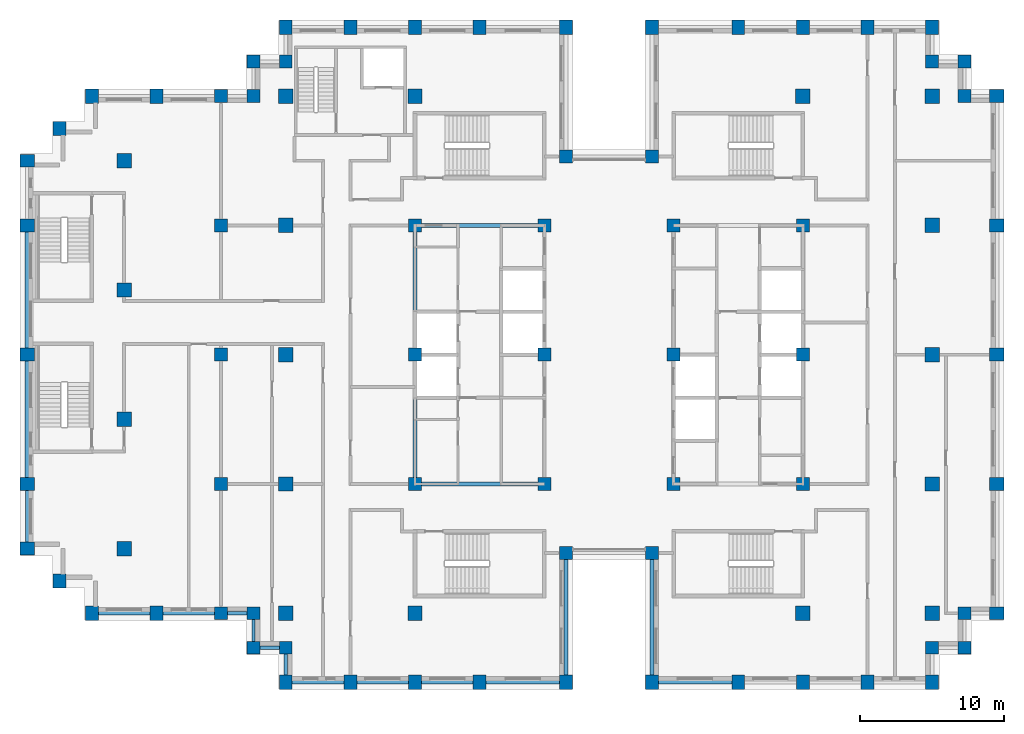
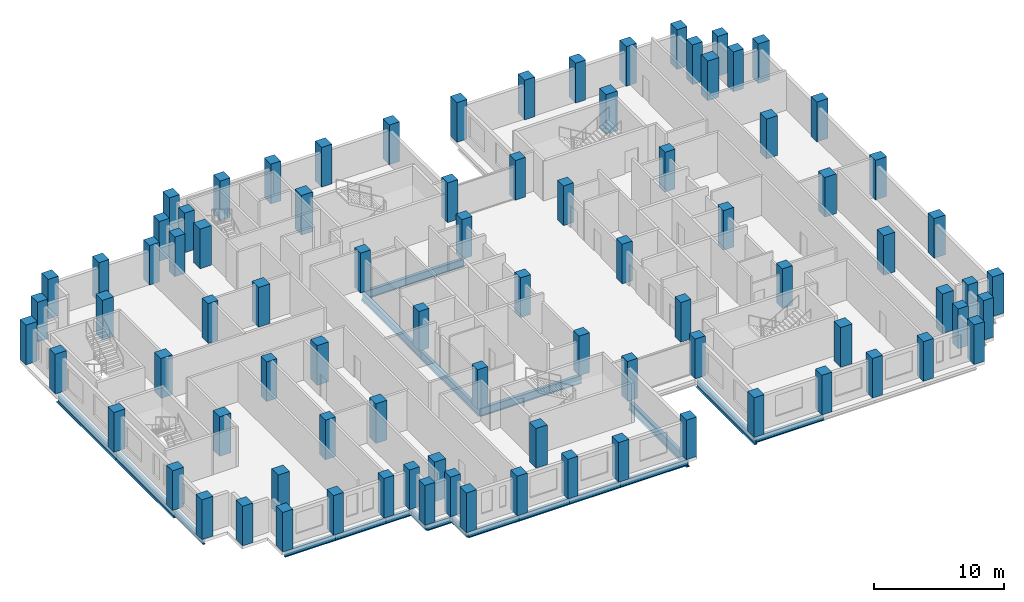
# One storey, part 1 of 15: 87 columns, 20 beams.
"""IFC4 building model written with IfcOpenShell, lengths in metres."""

from ifc_helpers import new_model, si_unit, direction, frame, origin, origin_2d, place, context, subcontext, project, spatial, rectangle, i_section, extrude, material, material_profile, profile_set, type_object, element, save


model = new_model("IFC4")

# Units and contexts
model_context = context("Model", 3, precision=1e-05, world=origin(), true_north=direction((0.0, 1.0)))
body_context = subcontext(model_context, "Body", "Model", "MODEL_VIEW")
ifc_project = project(units=[si_unit("LENGTHUNIT", "METRE"), si_unit("AREAUNIT", "SQUARE_METRE"), si_unit("VOLUMEUNIT", "CUBIC_METRE"), si_unit("PLANEANGLEUNIT", "RADIAN"), si_unit("MASSUNIT", "GRAM", prefix="KILO")], contexts=[model_context])

# Site, building, storey
site_placement = place(None, origin())
site = spatial("IfcSite", under=ifc_project, at=site_placement, CompositionType="ELEMENT")
building_placement = place(site_placement, origin())
building = spatial("IfcBuilding", under=site, at=building_placement, Name="Corbelhall Arena Tower", CompositionType="ELEMENT")
storey_placement = place(building_placement, frame((0.0, 0.0, 220.0)))
storey = spatial("IfcBuildingStorey", under=building, at=storey_placement, Name="L46", CompositionType="ELEMENT", Elevation=220.0)

# Columns
ifc_material_1 = material(Name="Concrete C80/95", Category="concrete")
ifc_material_profile_1 = material_profile(ifc_material_1, rectangle(XDim=1.0, YDim=1.0, at=origin_2d()))
ifc_profile_set_1 = profile_set([ifc_material_profile_1], Name="Concrete C80/95")
column_type_1 = type_object("IfcColumnType", Name="ST-COL-RC 1000x1000", PredefinedType="COLUMN", material=ifc_profile_set_1)
for number, where, z_axis, x_axis, name in (
    (1, (-33.75, 4.5, 0.0), (0.0, 0.0, 1.0), (1.0, 0.0, 0.0), "Column FIC+0450"),
    (2, (-33.75, 13.5, 0.0), (0.0, 0.0, 1.0), (1.0, 0.0, 0.0), "Column FIC+1350"),
    (3, (-33.75, -4.5, 0.0), (0.0, 0.0, 1.0), (1.0, 0.0, 0.0), "Column FIC-0450"),
    (4, (-33.75, -13.5, 0.0), (0.0, 0.0, 1.0), (1.0, 0.0, 0.0), "Column FIC-1350"),
    (5, (13.5, 18.0, 0.0), (0.0, 0.0, 1.0), (1.0, 0.0, 0.0), "Column IE13+1800"),
    (6, (13.5, -18.0, 0.0), (0.0, 0.0, 1.0), (1.0, 0.0, 0.0), "Column IE13-1800"),
    (7, (22.5, 0.0, 0.0), (0.0, 0.0, 1.0), (1.0, 0.0, 0.0), "Column IE22+0000"),
    (8, (22.5, 9.0, 0.0), (0.0, 0.0, 1.0), (1.0, 0.0, 0.0), "Column IE22+0900"),
    (9, (22.5, 18.0, 0.0), (0.0, 0.0, 1.0), (1.0, 0.0, 0.0), "Column IE22+1800"),
    (10, (22.5, -9.0, 0.0), (0.0, 0.0, 1.0), (1.0, 0.0, 0.0), "Column IE22-0900"),
    (11, (22.5, -18.0, 0.0), (0.0, 0.0, 1.0), (1.0, 0.0, 0.0), "Column IE22-1800"),
    (12, (-13.5, 18.0, 0.0), (0.0, 0.0, 1.0), (1.0, 0.0, 0.0), "Column IW13+1800"),
    (13, (-13.5, -18.0, 0.0), (0.0, 0.0, 1.0), (1.0, 0.0, 0.0), "Column IW13-1800"),
    (14, (-22.5, 0.0, 0.0), (0.0, 0.0, 1.0), (1.0, 0.0, 0.0), "Column IW22+0000"),
    (15, (-22.5, 9.0, 0.0), (0.0, 0.0, 1.0), (1.0, 0.0, 0.0), "Column IW22+0900"),
    (16, (-22.5, 18.0, 0.0), (0.0, 0.0, 1.0), (1.0, 0.0, 0.0), "Column IW22+1800"),
    (17, (-22.5, -9.0, 0.0), (0.0, 0.0, 1.0), (1.0, 0.0, 0.0), "Column IW22-0900"),
    (18, (-22.5, -18.0, 0.0), (0.0, 0.0, 1.0), (1.0, 0.0, 0.0), "Column IW22-1800"),
):
    element("IfcColumn", number, at=place(storey_placement, frame(where, z_axis=z_axis, x_axis=x_axis)), inside=storey, type_object=column_type_1, Name=name, PredefinedType="COLUMN", context=body_context, shape_type="SweptSolid", body=[
        extrude(rectangle(XDim=1.0, YDim=1.0, at=origin_2d()), origin(), (0.0, 0.0, 1.0), 3.719970703125),
    ])
ifc_material_profile_2 = material_profile(ifc_material_1, rectangle(XDim=0.89990234375, YDim=1.0, at=origin_2d()))
ifc_profile_set_2 = profile_set([ifc_material_profile_2], Name="Concrete C80/95")
column_type_2 = type_object("IfcColumnType", Name="ST-COL-RC 900x1000", PredefinedType="COLUMN", material=ifc_profile_set_2)
for number, where, z_axis, x_axis, name in (
    (19, (-40.5, 0.0, 0.0), (0.0, 0.0, 1.0), (0.0, 1.0, 0.0), "Column FC+0000"),
    (20, (-40.5, 9.0, 0.0), (0.0, 0.0, 1.0), (0.0, 1.0, 0.0), "Column FC+0900"),
    (21, (-40.5, 13.5, 0.0), (0.0, 0.0, 1.0), (0.0, 1.0, 0.0), "Column FC+1350"),
    (22, (-40.5, -9.0, 0.0), (0.0, 0.0, 1.0), (0.0, 1.0, 0.0), "Column FC-0900"),
    (23, (-40.5, -13.5, 0.0), (0.0, 0.0, 1.0), (0.0, 1.0, 0.0), "Column FC-1350"),
    (24, (-38.25, 15.75, 0.0), (0.0, 0.0, 1.0), (1.0, 0.0, 0.0), "Column FCCN"),
    (25, (-38.25, -15.75, 0.0), (0.0, 0.0, 1.0), (1.0, 0.0, 0.0), "Column FCCS"),
    (26, (-31.5, 18.0, 0.0), (0.0, 0.0, 1.0), (1.0, 0.0, 0.0), "Column FCN3150"),
    (27, (-36.0, 18.0, 0.0), (0.0, 0.0, 1.0), (1.0, 0.0, 0.0), "Column FCN3600"),
    (28, (-31.5, -18.0, 0.0), (0.0, 0.0, 1.0), (1.0, 0.0, 0.0), "Column FCS3150"),
    (29, (-36.0, -18.0, 0.0), (0.0, 0.0, 1.0), (1.0, 0.0, 0.0), "Column FCS3600"),
    (30, (27.0, 0.0, 0.0), (0.0, 0.0, 1.0), (0.0, 1.0, 0.0), "Column PE+0000"),
    (31, (27.0, 9.0, 0.0), (0.0, 0.0, 1.0), (0.0, 1.0, 0.0), "Column PE+0900"),
    (32, (27.0, 18.0, 0.0), (0.0, 0.0, 1.0), (0.0, 1.0, 0.0), "Column PE+1800"),
    (33, (27.0, -9.0, 0.0), (0.0, 0.0, 1.0), (0.0, 1.0, 0.0), "Column PE-0900"),
    (34, (27.0, -18.0, 0.0), (0.0, 0.0, 1.0), (0.0, 1.0, 0.0), "Column PE-1800"),
    (35, (3.0, 22.800048828125, 0.0), (0.0, 0.0, 1.0), (1.0, 0.0, 0.0), "Column PNE0300"),
    (36, (9.0, 22.800048828125, 0.0), (0.0, 0.0, 1.0), (1.0, 0.0, 0.0), "Column PNE0900"),
    (37, (13.5, 22.800048828125, 0.0), (0.0, 0.0, 1.0), (1.0, 0.0, 0.0), "Column PNE1350"),
    (38, (18.0, 22.800048828125, 0.0), (0.0, 0.0, 1.0), (1.0, 0.0, 0.0), "Column PNE1800"),
    (39, (22.5, 22.800048828125, 0.0), (0.0, 0.0, 1.0), (1.0, 0.0, 0.0), "Column PNE2250"),
    (40, (-3.0, 22.800048828125, 0.0), (0.0, 0.0, 1.0), (1.0, 0.0, 0.0), "Column PNW0300"),
    (41, (-9.0, 22.800048828125, 0.0), (0.0, 0.0, 1.0), (1.0, 0.0, 0.0), "Column PNW0900"),
    (42, (-13.5, 22.800048828125, 0.0), (0.0, 0.0, 1.0), (1.0, 0.0, 0.0), "Column PNW1350"),
    (43, (-18.0, 22.800048828125, 0.0), (0.0, 0.0, 1.0), (1.0, 0.0, 0.0), "Column PNW1800"),
    (44, (-22.5, 22.800048828125, 0.0), (0.0, 0.0, 1.0), (1.0, 0.0, 0.0), "Column PNW2250"),
    (45, (3.0, -22.800048828125, 0.0), (0.0, 0.0, 1.0), (1.0, 0.0, 0.0), "Column PSE0300"),
    (46, (9.0, -22.800048828125, 0.0), (0.0, 0.0, 1.0), (1.0, 0.0, 0.0), "Column PSE0900"),
    (47, (13.5, -22.800048828125, 0.0), (0.0, 0.0, 1.0), (1.0, 0.0, 0.0), "Column PSE1350"),
    (48, (18.0, -22.800048828125, 0.0), (0.0, 0.0, 1.0), (1.0, 0.0, 0.0), "Column PSE1800"),
    (49, (22.5, -22.800048828125, 0.0), (0.0, 0.0, 1.0), (1.0, 0.0, 0.0), "Column PSE2250"),
    (50, (-3.0, -22.800048828125, 0.0), (0.0, 0.0, 1.0), (1.0, 0.0, 0.0), "Column PSW0300"),
    (51, (-9.0, -22.800048828125, 0.0), (0.0, 0.0, 1.0), (1.0, 0.0, 0.0), "Column PSW0900"),
    (52, (-13.5, -22.800048828125, 0.0), (0.0, 0.0, 1.0), (1.0, 0.0, 0.0), "Column PSW1350"),
    (53, (-18.0, -22.800048828125, 0.0), (0.0, 0.0, 1.0), (1.0, 0.0, 0.0), "Column PSW1800"),
    (54, (-22.5, -22.800048828125, 0.0), (0.0, 0.0, 1.0), (1.0, 0.0, 0.0), "Column PSW2250"),
):
    element("IfcColumn", number, at=place(storey_placement, frame(where, z_axis=z_axis, x_axis=x_axis)), inside=storey, type_object=column_type_2, Name=name, PredefinedType="COLUMN", context=body_context, shape_type="SweptSolid", body=[
        extrude(rectangle(XDim=0.89990234375, YDim=1.0, at=origin_2d()), origin(), (0.0, 0.0, 1.0), 3.719970703125),
    ])
ifc_material_profile_3 = material_profile(ifc_material_1, rectangle(XDim=0.89990234375, YDim=0.89990234375, at=origin_2d()))
ifc_profile_set_3 = profile_set([ifc_material_profile_3], Name="Concrete C80/95")
column_type_3 = type_object("IfcColumnType", Name="ST-COL-RC 900x900", PredefinedType="COLUMN", material=ifc_profile_set_3)
for number, where, z_axis, x_axis, name in (
    (55, (4.5, 0.0, 0.0), (0.0, 0.0, 1.0), (1.0, 0.0, 0.0), "Column KE+0450+0000"),
    (56, (4.5, 9.0, 0.0), (0.0, 0.0, 1.0), (1.0, 0.0, 0.0), "Column KE+0450+0900"),
    (57, (4.5, -9.0, 0.0), (0.0, 0.0, 1.0), (1.0, 0.0, 0.0), "Column KE+0450-0900"),
    (58, (13.5, 0.0, 0.0), (0.0, 0.0, 1.0), (1.0, 0.0, 0.0), "Column KE+1350+0000"),
    (59, (13.5, 9.0, 0.0), (0.0, 0.0, 1.0), (1.0, 0.0, 0.0), "Column KE+1350+0900"),
    (60, (13.5, -9.0, 0.0), (0.0, 0.0, 1.0), (1.0, 0.0, 0.0), "Column KE+1350-0900"),
    (61, (-4.5, 0.0, 0.0), (0.0, 0.0, 1.0), (1.0, 0.0, 0.0), "Column KW-0450+0000"),
    (62, (-4.5, 9.0, 0.0), (0.0, 0.0, 1.0), (1.0, 0.0, 0.0), "Column KW-0450+0900"),
    (63, (-4.5, -9.0, 0.0), (0.0, 0.0, 1.0), (1.0, 0.0, 0.0), "Column KW-0450-0900"),
    (64, (-13.5, 0.0, 0.0), (0.0, 0.0, 1.0), (1.0, 0.0, 0.0), "Column KW-1350+0000"),
    (65, (-13.5, 9.0, 0.0), (0.0, 0.0, 1.0), (1.0, 0.0, 0.0), "Column KW-1350+0900"),
    (66, (-13.5, -9.0, 0.0), (0.0, 0.0, 1.0), (1.0, 0.0, 0.0), "Column KW-1350-0900"),
    (67, (-27.0, 0.0, 0.0), (0.0, 0.0, 1.0), (1.0, 0.0, 0.0), "Column PW+0000"),
    (68, (-27.0, 9.0, 0.0), (0.0, 0.0, 1.0), (1.0, 0.0, 0.0), "Column PW+0900"),
    (69, (-27.0, 18.0, 0.0), (0.0, 0.0, 1.0), (1.0, 0.0, 0.0), "Column PW+1800"),
    (70, (-27.0, -9.0, 0.0), (0.0, 0.0, 1.0), (1.0, 0.0, 0.0), "Column PW-0900"),
    (71, (-27.0, -18.0, 0.0), (0.0, 0.0, 1.0), (1.0, 0.0, 0.0), "Column PW-1800"),
    (72, (3.0, 13.800048828125, 0.0), (0.0, 0.0, 1.0), (1.0, 0.0, 0.0), "Column SLNE2"),
    (73, (-3.0, 13.800048828125, 0.0), (0.0, 0.0, 1.0), (1.0, 0.0, 0.0), "Column SLNW2"),
    (74, (3.0, -13.800048828125, 0.0), (0.0, 0.0, 1.0), (1.0, 0.0, 0.0), "Column SLSE2"),
    (75, (-3.0, -13.800048828125, 0.0), (0.0, 0.0, 1.0), (1.0, 0.0, 0.0), "Column SLSW2"),
    (76, (22.5, 20.39990234375, 0.0), (0.0, 0.0, 1.0), (1.0, 0.0, 0.0), "Column XNE1"),
    (77, (24.75, 20.39990234375, 0.0), (0.0, 0.0, 1.0), (1.0, 0.0, 0.0), "Column XNE2"),
    (78, (24.75, 18.0, 0.0), (0.0, 0.0, 1.0), (1.0, 0.0, 0.0), "Column XNE3"),
    (79, (-22.5, 20.39990234375, 0.0), (0.0, 0.0, 1.0), (1.0, 0.0, 0.0), "Column XNW1"),
    (80, (-24.75, 20.39990234375, 0.0), (0.0, 0.0, 1.0), (1.0, 0.0, 0.0), "Column XNW2"),
    (81, (-24.75, 18.0, 0.0), (0.0, 0.0, 1.0), (1.0, 0.0, 0.0), "Column XNW3"),
    (82, (22.5, -20.39990234375, 0.0), (0.0, 0.0, 1.0), (1.0, 0.0, 0.0), "Column XSE1"),
    (83, (24.75, -20.39990234375, 0.0), (0.0, 0.0, 1.0), (1.0, 0.0, 0.0), "Column XSE2"),
    (84, (24.75, -18.0, 0.0), (0.0, 0.0, 1.0), (1.0, 0.0, 0.0), "Column XSE3"),
    (85, (-22.5, -20.39990234375, 0.0), (0.0, 0.0, 1.0), (1.0, 0.0, 0.0), "Column XSW1"),
    (86, (-24.75, -20.39990234375, 0.0), (0.0, 0.0, 1.0), (1.0, 0.0, 0.0), "Column XSW2"),
    (87, (-24.75, -18.0, 0.0), (0.0, 0.0, 1.0), (1.0, 0.0, 0.0), "Column XSW3"),
):
    element("IfcColumn", number, at=place(storey_placement, frame(where, z_axis=z_axis, x_axis=x_axis)), inside=storey, type_object=column_type_3, Name=name, PredefinedType="COLUMN", context=body_context, shape_type="SweptSolid", body=[
        extrude(rectangle(XDim=0.89990234375, YDim=0.89990234375, at=origin_2d()), origin(), (0.0, 0.0, 1.0), 3.719970703125),
    ])

# Beams
ifc_material_2 = material(Name="Steel ASTM A992 Gr50", Category="steel")
ifc_material_profile_4 = material_profile(ifc_material_2, i_section(OverallWidth=0.2666015625, OverallDepth=0.761962890625, WebThickness=0.014404296875, FlangeThickness=0.021484375, at=origin_2d()))
ifc_profile_set_4 = profile_set([ifc_material_profile_4], Name="Steel ASTM A992 Gr50")
beam_type_1 = type_object("IfcBeamType", Name="ST-BEAM-W30x116", PredefinedType="BEAM", material=ifc_profile_set_4)
for number, where, z_axis, x_axis, name in (
    (88, (-13.5, -9.0, -0.660888671875), (0.0, 1.0, 0.0), (-1.0, 0.0, 0.0), "Beam CEW 1"),
    (89, (-13.5, 0.0, -0.660888671875), (0.0, 1.0, 0.0), (-1.0, 0.0, 0.0), "Beam CEW 2"),
    (90, (-13.5, -9.0, -0.660888671875), (1.0, 0.0, 0.0), (0.0, 1.0, 0.0), "Beam CEW 5"),
    (91, (-13.5, 9.0, -0.660888671875), (1.0, 0.0, 0.0), (0.0, 1.0, 0.0), "Beam CEW 6"),
):
    element("IfcBeam", number, at=place(storey_placement, frame(where, z_axis=z_axis, x_axis=x_axis)), inside=storey, type_object=beam_type_1, Name=name, PredefinedType="BEAM", context=body_context, shape_type="SweptSolid", body=[
        extrude(i_section(OverallWidth=0.2666015625, OverallDepth=0.761962890625, WebThickness=0.014404296875, FlangeThickness=0.021484375, at=origin_2d()), origin(), (0.0, 0.0, 1.0), 9.0),
    ])
ifc_material_profile_5 = material_profile(ifc_material_2, i_section(OverallWidth=0.228271484375, OverallDepth=0.607177734375, WebThickness=0.01123046875, FlangeThickness=0.017333984375, at=origin_2d()))
ifc_profile_set_5 = profile_set([ifc_material_profile_5], Name="Steel ASTM A992 Gr50")
beam_type_2 = type_object("IfcBeamType", Name="ST-SPANDREL-W24x76", PredefinedType="SPANDREL", material=ifc_profile_set_5)
for number, where, z_axis, x_axis, name in (
    (92, (-40.5, -13.5, -0.58349609375), (0.0, 1.0, 0.0), (-1.0, 0.0, 0.0), "Beam SP 4"),
    (93, (-31.5, -18.0, -0.58349609375), (-1.0, 0.0, 0.0), (0.0, -1.0, 0.0), "Beam SP 7"),
):
    element("IfcBeam", number, at=place(storey_placement, frame(where, z_axis=z_axis, x_axis=x_axis)), inside=storey, type_object=beam_type_2, Name=name, PredefinedType="SPANDREL", context=body_context, shape_type="SweptSolid", body=[
        extrude(i_section(OverallWidth=0.228271484375, OverallDepth=0.607177734375, WebThickness=0.01123046875, FlangeThickness=0.017333984375, at=origin_2d()), origin(), (0.0, 0.0, 1.0), 4.5),
    ])
for number, where, z_axis, x_axis, name in (
    (94, (9.0, -22.800048828125, -0.58349609375), (-1.0, 0.0, 0.0), (0.0, -1.0, 0.0), "Beam SP 24"),
    (95, (-3.0, -22.800048828125, -0.58349609375), (-1.0, 0.0, 0.0), (0.0, -1.0, 0.0), "Beam SP 28"),
):
    element("IfcBeam", number, at=place(storey_placement, frame(where, z_axis=z_axis, x_axis=x_axis)), inside=storey, type_object=beam_type_2, Name=name, PredefinedType="SPANDREL", context=body_context, shape_type="SweptSolid", body=[
        extrude(i_section(OverallWidth=0.228271484375, OverallDepth=0.607177734375, WebThickness=0.01123046875, FlangeThickness=0.017333984375, at=origin_2d()), origin(), (0.0, 0.0, 1.0), 6.0),
    ])
for number, where, z_axis, x_axis, name in (
    (96, (-9.0, -22.800048828125, -0.58349609375), (-1.0, 0.0, 0.0), (0.0, -1.0, 0.0), "Beam SP 29"),
    (97, (-13.5, -22.800048828125, -0.58349609375), (-1.0, 0.0, 0.0), (0.0, -1.0, 0.0), "Beam SP 30"),
    (98, (-18.0, -22.800048828125, -0.58349609375), (-1.0, 0.0, 0.0), (0.0, -1.0, 0.0), "Beam SP 31"),
):
    element("IfcBeam", number, at=place(storey_placement, frame(where, z_axis=z_axis, x_axis=x_axis)), inside=storey, type_object=beam_type_2, Name=name, PredefinedType="SPANDREL", context=body_context, shape_type="SweptSolid", body=[
        extrude(i_section(OverallWidth=0.228271484375, OverallDepth=0.607177734375, WebThickness=0.01123046875, FlangeThickness=0.017333984375, at=origin_2d()), origin(), (0.0, 0.0, 1.0), 4.5),
    ])
beam_1_placement = place(storey_placement, frame((-22.5, -22.800048828125, -0.58349609375), z_axis=(0.0, 1.0, 0.0), x_axis=(-1.0, 0.0, 0.0)))
element("IfcBeam", 99, at=beam_1_placement, inside=storey, type_object=beam_type_2, Name="Beam SP 32", PredefinedType="SPANDREL", context=body_context, shape_type="SweptSolid", body=[
    extrude(i_section(OverallWidth=0.228271484375, OverallDepth=0.607177734375, WebThickness=0.01123046875, FlangeThickness=0.017333984375, at=origin_2d()), origin(), (0.0, 0.0, 1.0), 2.400146484375),
])
beam_2_placement = place(storey_placement, frame((-27.0, -18.0, -0.58349609375), z_axis=(-1.0, 0.0, 0.0), x_axis=(0.0, -1.0, 0.0)))
element("IfcBeam", 100, at=beam_2_placement, inside=storey, type_object=beam_type_2, Name="Beam SP 34", PredefinedType="SPANDREL", context=body_context, shape_type="SweptSolid", body=[
    extrude(i_section(OverallWidth=0.228271484375, OverallDepth=0.607177734375, WebThickness=0.01123046875, FlangeThickness=0.017333984375, at=origin_2d()), origin(), (0.0, 0.0, 1.0), 4.5),
])
beam_3_placement = place(storey_placement, frame((-22.5, -20.39990234375, -0.58349609375), z_axis=(-1.0, 0.0, 0.0), x_axis=(0.0, -1.0, 0.0)))
element("IfcBeam", 101, at=beam_3_placement, inside=storey, type_object=beam_type_2, Name="Beam SP 48", PredefinedType="SPANDREL", context=body_context, shape_type="SweptSolid", body=[
    extrude(i_section(OverallWidth=0.228271484375, OverallDepth=0.607177734375, WebThickness=0.01123046875, FlangeThickness=0.017333984375, at=origin_2d()), origin(), (0.0, 0.0, 1.0), 2.25),
])
beam_4_placement = place(storey_placement, frame((-24.75, -20.39990234375, -0.58349609375), z_axis=(0.0, 1.0, 0.0), x_axis=(-1.0, 0.0, 0.0)))
element("IfcBeam", 102, at=beam_4_placement, inside=storey, type_object=beam_type_2, Name="Beam SP 49", PredefinedType="SPANDREL", context=body_context, shape_type="SweptSolid", body=[
    extrude(i_section(OverallWidth=0.228271484375, OverallDepth=0.607177734375, WebThickness=0.01123046875, FlangeThickness=0.017333984375, at=origin_2d()), origin(), (0.0, 0.0, 1.0), 2.39990234375),
])
beam_5_placement = place(storey_placement, frame((-24.75, -18.0, -0.58349609375), z_axis=(-1.0, 0.0, 0.0), x_axis=(0.0, -1.0, 0.0)))
element("IfcBeam", 103, at=beam_5_placement, inside=storey, type_object=beam_type_2, Name="Beam SP 50", PredefinedType="SPANDREL", context=body_context, shape_type="SweptSolid", body=[
    extrude(i_section(OverallWidth=0.228271484375, OverallDepth=0.607177734375, WebThickness=0.01123046875, FlangeThickness=0.017333984375, at=origin_2d()), origin(), (0.0, 0.0, 1.0), 2.25),
])
ifc_material_profile_6 = material_profile(ifc_material_2, i_section(OverallWidth=0.2919921875, OverallDepth=0.845703125, WebThickness=0.015380859375, FlangeThickness=0.0244140625, at=origin_2d()))
ifc_profile_set_6 = profile_set([ifc_material_profile_6], Name="Steel ASTM A992 Gr50")
beam_type_3 = type_object("IfcBeamType", Name="ST-SPANDREL-W33x141", PredefinedType="SPANDREL", material=ifc_profile_set_6)
for number, where, z_axis, x_axis, name in (
    (104, (-40.5, 0.0, -0.702880859375), (0.0, 1.0, 0.0), (-1.0, 0.0, 0.0), "Beam SP 1"),
    (105, (-40.5, -9.0, -0.702880859375), (0.0, 1.0, 0.0), (-1.0, 0.0, 0.0), "Beam SP 3"),
    (106, (3.0, -22.800048828125, -0.702880859375), (0.0, 1.0, 0.0), (-1.0, 0.0, 0.0), "Beam SP 23"),
    (107, (-3.0, -13.800048828125, -0.702880859375), (0.0, -1.0, 0.0), (1.0, 0.0, 0.0), "Beam SP 38"),
):
    element("IfcBeam", number, at=place(storey_placement, frame(where, z_axis=z_axis, x_axis=x_axis)), inside=storey, type_object=beam_type_3, Name=name, PredefinedType="SPANDREL", context=body_context, shape_type="SweptSolid", body=[
        extrude(i_section(OverallWidth=0.2919921875, OverallDepth=0.845703125, WebThickness=0.015380859375, FlangeThickness=0.0244140625, at=origin_2d()), origin(), (0.0, 0.0, 1.0), 9.0),
    ])

save(model, "model.ifc")
